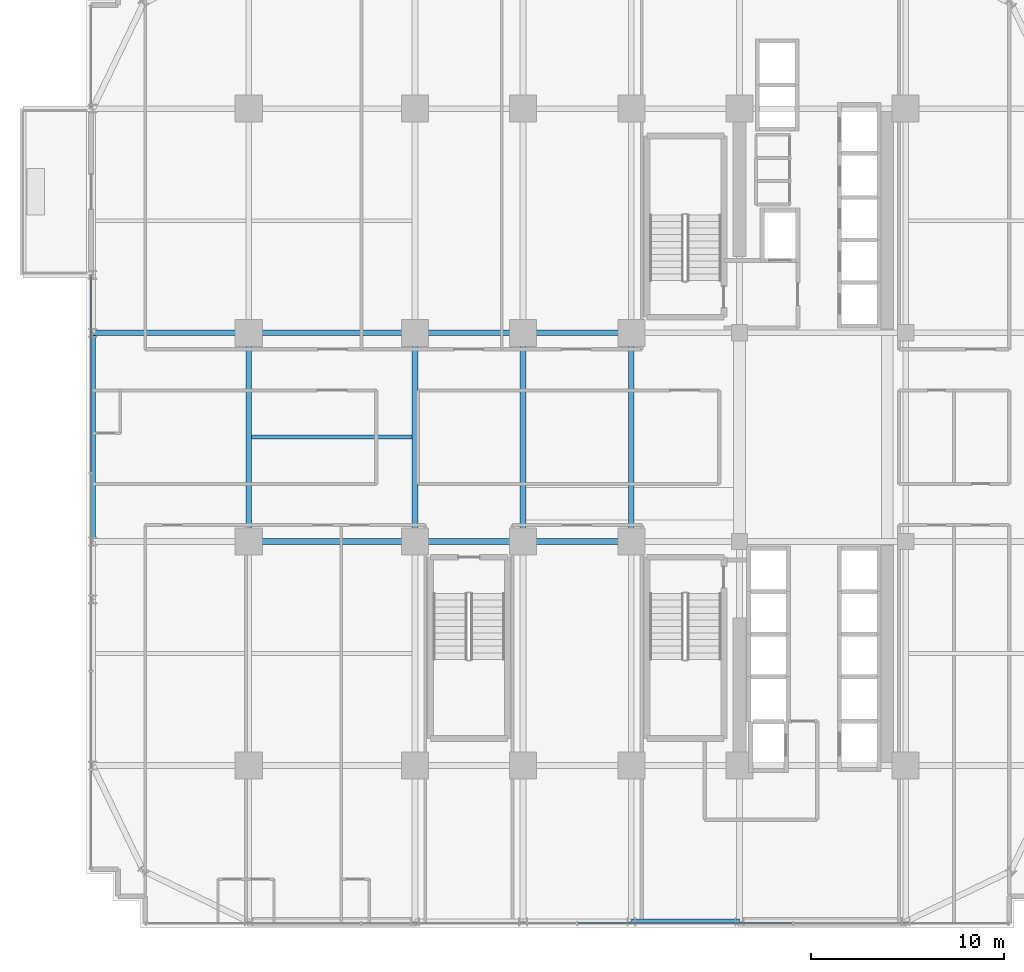
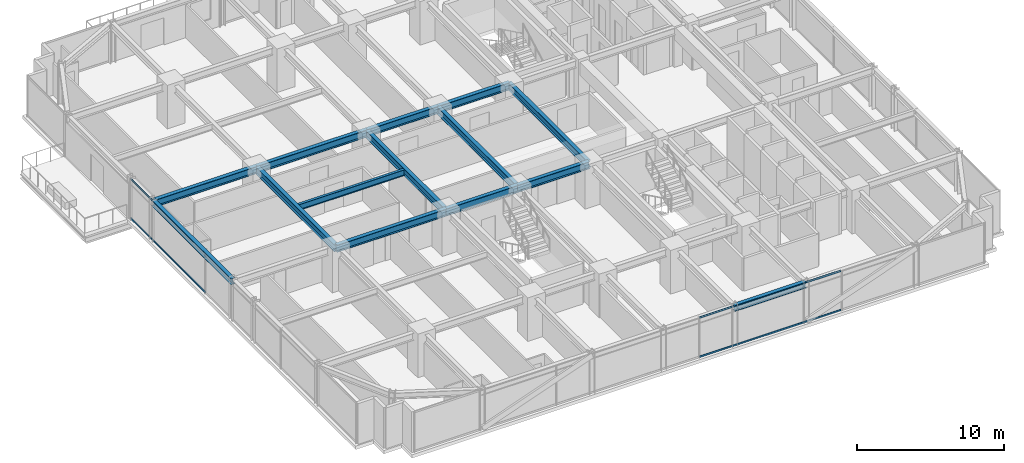
# One storey, part 11 of 36: 14 beams, 4 members, 2 elements without a shape of their own.
"""IFC4 building model written with IfcOpenShell, lengths in metres."""

import ifcopenshell
import ifcopenshell.guid

model = None  # the IFC model being written
_history = None  # IfcOwnerHistory: only IFC2X3 demands one
_inside = {}  # id of a spatial element -> (the spatial element, [elements in it])
_under = {}  # id of a project, library or spatial element -> (it, [spatial elements below it])
_declared = {}  # id of a project -> (the project, [libraries it declares])
_typed = {}  # id of a type object -> (the type object, [elements of that type])
_made_of = {}  # id of a material, layer set ... -> (it, [elements and type objects made of it])


def new_model(schema):
    """Start an empty IFC model of exactly this schema.

    Asked for "IFC4X3", IfcOpenShell would pick the latest addendum, in which some entities
    have other attributes; the version numbers below select the first issue.
    IFC2X3 requires an IfcOwnerHistory on every rooted entity: one is made here for all.
    """
    global model, _history
    if schema == "IFC4X3":
        model = ifcopenshell.file(schema_version=(4, 3, 0, 0))
    else:
        model = ifcopenshell.file(schema=schema)
    _inside.clear()
    _under.clear()
    _declared.clear()
    _typed.clear()
    _made_of.clear()
    _history = None
    if model.schema == "IFC2X3":
        org = make("IfcOrganization", Name="unknown")
        user = make(
            "IfcPersonAndOrganization",
            ThePerson=make("IfcPerson", FamilyName="unknown"),
            TheOrganization=org,
        )
        app = make(
            "IfcApplication",
            ApplicationDeveloper=org,
            Version="unknown",
            ApplicationFullName="unknown",
            ApplicationIdentifier="unknown",
        )
        _history = make(
            "IfcOwnerHistory",
            OwningUser=user,
            OwningApplication=app,
            ChangeAction="ADDED",
            CreationDate=0,
        )
    return model


def make(cls, **values):
    """One entity of the class cls with the attributes given. An attribute that is None is left unset."""
    return model.create_entity(
        cls, **{name: value for name, value in values.items() if value is not None}
    )


def rooted(cls, **values):
    """An entity with a GlobalId (a new one), such as an element, a storey or a relation."""
    return make(cls, GlobalId=ifcopenshell.guid.new(), OwnerHistory=_history, **values)


def si_unit(unit_type, name, prefix=None):
    """IfcSIUnit, for example si_unit("LENGTHUNIT", "METRE", prefix="MILLI")."""
    return make("IfcSIUnit", UnitType=unit_type, Prefix=prefix, Name=name)


def assignment(units):
    """IfcUnitAssignment: the units of a project."""
    return None if units is None else make("IfcUnitAssignment", Units=units)


def point(xyz):
    """IfcCartesianPoint."""
    return None if xyz is None else make("IfcCartesianPoint", Coordinates=xyz)


def direction(xyz):
    """IfcDirection."""
    return None if xyz is None else make("IfcDirection", DirectionRatios=xyz)


def frame(location, z_axis=None, x_axis=None):
    """IfcAxis2Placement3D, a coordinate frame: its origin and axes. An axis left out is left unset."""
    return make(
        "IfcAxis2Placement3D",
        Location=point(location),
        Axis=direction(z_axis),
        RefDirection=direction(x_axis),
    )


def frame_2d(location, x_axis=None):
    """IfcAxis2Placement2D, a coordinate frame in the plane: its origin and x axis."""
    return make(
        "IfcAxis2Placement2D", Location=point(location), RefDirection=direction(x_axis)
    )


def origin():
    """The frame at (0, 0, 0) with its axes left unset."""
    return frame((0.0, 0.0, 0.0))


def origin_2d():
    """The frame at (0, 0) in the plane with its x axis left unset."""
    return frame_2d((0.0, 0.0))


def place(relative_to, where):
    """IfcLocalPlacement: puts the frame where relative to a parent placement (None: the world)."""
    return make(
        "IfcLocalPlacement", PlacementRelTo=relative_to, RelativePlacement=where
    )


def context(
    kind, dimensions, precision=None, world=None, true_north=None, identifier=None
):
    """IfcGeometricRepresentationContext, for example the 3D "Model" context."""
    return make(
        "IfcGeometricRepresentationContext",
        ContextIdentifier=identifier,
        ContextType=kind,
        CoordinateSpaceDimension=dimensions,
        Precision=precision,
        WorldCoordinateSystem=world,
        TrueNorth=true_north,
    )


def subcontext(parent, identifier, kind, view, scale=None):
    """IfcGeometricRepresentationSubContext, for example "Body" below "Model"."""
    return make(
        "IfcGeometricRepresentationSubContext",
        ContextIdentifier=identifier,
        ContextType=kind,
        ParentContext=parent,
        TargetScale=scale,
        TargetView=view,
    )


def project(units=None, contexts=None):
    """IfcProject with its units and contexts."""
    return rooted(
        "IfcProject",
        Name="project",
        RepresentationContexts=contexts,
        UnitsInContext=assignment(units),
    )


def spatial(cls, under=None, at=None, **own):
    """A site, building, storey or space (cls), placed at a placement, below another one or the project."""
    s = rooted(cls, ObjectPlacement=at, **own)
    if under is not None:
        _under.setdefault(under.id(), (under, []))[1].append(s)
    return s


def profile(cls, at=None, kind="AREA", **sizes):
    """A parametric profile (cls). Its sizes go by their IFC names, for example OverallWidth=200.0."""
    return make(cls, ProfileType=kind, Position=at, **sizes)


def hollow_rectangle(**sizes):
    """IfcRectangleHollowProfileDef."""
    return profile("IfcRectangleHollowProfileDef", **sizes)


def i_section(**sizes):
    """IfcIShapeProfileDef."""
    return profile("IfcIShapeProfileDef", **sizes)


def extrude(swept, where, along, depth):
    """IfcExtrudedAreaSolid: the profile swept, set in the frame where, extruded along a direction by depth."""
    return make(
        "IfcExtrudedAreaSolid",
        SweptArea=swept,
        Position=where,
        ExtrudedDirection=direction(along),
        Depth=depth,
    )


def shape(context_of_items, identifier, shape_type, items):
    """IfcShapeRepresentation: the items that make up one representation, for example the "Body"."""
    return make(
        "IfcShapeRepresentation",
        ContextOfItems=context_of_items,
        RepresentationIdentifier=identifier,
        RepresentationType=shape_type,
        Items=items,
    )


def source(mapping_origin, context_of_items, identifier, shape_type, items):
    """IfcRepresentationMap: a shape defined once, which mapped items show again and again."""
    return make(
        "IfcRepresentationMap",
        MappingOrigin=mapping_origin,
        MappedRepresentation=shape(context_of_items, identifier, shape_type, items),
    )


def transform(
    local_origin,
    x_axis=None,
    y_axis=None,
    z_axis=None,
    scale=None,
    scale2=None,
    scale3=None,
    uniform=True,
):
    """IfcCartesianTransformationOperator3D, or its non-uniform kind. x_axis, y_axis, z_axis: its Axis1, 2, 3."""
    if uniform:
        return make(
            "IfcCartesianTransformationOperator3D",
            Axis1=direction(x_axis),
            Axis2=direction(y_axis),
            LocalOrigin=point(local_origin),
            Scale=scale,
            Axis3=direction(z_axis),
        )
    return make(
        "IfcCartesianTransformationOperator3DnonUniform",
        Axis1=direction(x_axis),
        Axis2=direction(y_axis),
        LocalOrigin=point(local_origin),
        Scale=scale,
        Axis3=direction(z_axis),
        Scale2=scale2,
        Scale3=scale3,
    )


def mapped(mapping_source, mapping_target):
    """IfcMappedItem: shows the shape of a source again, moved by a transform."""
    return make(
        "IfcMappedItem", MappingSource=mapping_source, MappingTarget=mapping_target
    )


def material(Name=None, Category=None):
    """IfcMaterial."""
    return make("IfcMaterial", Name=Name, Category=Category)


def material_profile(
    of_material, cross_section, Name=None, Category=None, Priority=None
):
    """IfcMaterialProfile: a cross section and its material."""
    return make(
        "IfcMaterialProfile",
        Name=Name,
        Material=of_material,
        Profile=cross_section,
        Priority=Priority,
        Category=Category,
    )


def profile_set(profiles, Name=None, composite=None):
    """IfcMaterialProfileSet."""
    return make(
        "IfcMaterialProfileSet",
        Name=Name,
        MaterialProfiles=profiles,
        CompositeProfile=composite,
    )


def made_of(thing, what):
    """Note that an element or type object is made of a material, layer set ...; save() writes the relation."""
    if what is not None:
        _made_of.setdefault(what.id(), (what, []))[1].append(thing)
    return thing


def type_object(cls, material=None, **own):
    """A type object (cls), such as IfcWallType, which elements share."""
    return made_of(rooted(cls, **own), material)


def element(
    cls,
    number,
    at=None,
    inside=None,
    cuts=None,
    type_object=None,
    material=None,
    context=None,
    identifier="Body",
    shape_type=None,
    held_by="IfcProductDefinitionShape",
    body=None,
    shapes=None,
    **own,
):
    """One element of the class cls, such as IfcWall. Its Tag is "e" and its number.

    at: its placement. inside: the storey or other place that contains it. cuts: it is an
    opening in that element (IfcRelVoidsElement). A single representation is given by context,
    identifier, shape_type and body (its items); several are given by shapes. held_by: the class
    of the entity that holds the representations. save() writes the other relations.
    """
    e = rooted(cls, Tag="e%d" % number, ObjectPlacement=at, **own)
    if body is not None:
        shapes = [shape(context, identifier, shape_type, body)]
    if shapes is not None:
        e.Representation = make(held_by, Representations=shapes)
    if inside is not None:
        _inside.setdefault(inside.id(), (inside, []))[1].append(e)
    if cuts is not None:
        rooted(
            "IfcRelVoidsElement", RelatingBuildingElement=cuts, RelatedOpeningElement=e
        )
    if type_object is not None:
        _typed.setdefault(type_object.id(), (type_object, []))[1].append(e)
    return made_of(e, material)


def aggregate(whole, parts):
    """IfcRelAggregates: a whole, such as a stair, and the parts it consists of."""
    return rooted("IfcRelAggregates", RelatingObject=whole, RelatedObjects=parts)


def save(model, path):
    """Write the relations noted so far, then the file.

    IfcRelAggregates (storeys below a building ...), IfcRelContainedInSpatialStructure (elements
    in a storey), IfcRelDefinesByType, IfcRelAssociatesMaterial and IfcRelDeclares: one each for
    every whole, place, type object, material and project.
    """
    for whole, parts in _under.values():
        aggregate(whole, parts)
    for where, things in _inside.values():
        rooted(
            "IfcRelContainedInSpatialStructure",
            RelatedElements=things,
            RelatingStructure=where,
        )
    for kind, things in _typed.values():
        rooted("IfcRelDefinesByType", RelatedObjects=things, RelatingType=kind)
    for what, things in _made_of.values():
        rooted("IfcRelAssociatesMaterial", RelatedObjects=things, RelatingMaterial=what)
    for by, libraries in _declared.values():
        rooted("IfcRelDeclares", RelatingContext=by, RelatedDefinitions=libraries)
    model.write(path)


model = new_model("IFC4")

# Units and contexts
model_context = context("Model", 3, precision=1e-05, world=origin(), true_north=direction((0.0, 1.0)))
body_context = subcontext(model_context, "Body", "Model", "MODEL_VIEW")
ifc_project = project(units=[si_unit("LENGTHUNIT", "METRE"), si_unit("AREAUNIT", "SQUARE_METRE"), si_unit("VOLUMEUNIT", "CUBIC_METRE"), si_unit("PLANEANGLEUNIT", "RADIAN"), si_unit("MASSUNIT", "GRAM", prefix="KILO")], contexts=[model_context])

# Site, building, storey
site_placement = place(None, origin())
site = spatial("IfcSite", under=ifc_project, at=site_placement, CompositionType="ELEMENT")
building_placement = place(site_placement, origin())
building = spatial("IfcBuilding", under=site, at=building_placement, Name="Nahalor Promenade Grand Hotel", CompositionType="ELEMENT")
storey_placement = place(building_placement, frame((0.0, 0.0, 76.199951171875)))
storey = spatial("IfcBuildingStorey", under=building, at=storey_placement, Name="L18", CompositionType="ELEMENT", Elevation=76.199951171875)

# Beams
ifc_material_1 = material(Name="Steel S355JR", Category="steel")
ifc_material_profile_1 = material_profile(ifc_material_1, i_section(OverallWidth=0.3, OverallDepth=0.6, WebThickness=0.0155, FlangeThickness=0.03, at=origin_2d()), Name="HEB 600")
ifc_profile_set_1 = profile_set([ifc_material_profile_1], Name="Steel S355JR")
beam_type_1 = type_object("IfcBeamType", Name="Beam-Girder-HEB600", PredefinedType="BEAM", material=ifc_profile_set_1)
shared_shape_1 = source(origin(), body_context, "Body", "SweptSolid", [
    extrude(i_section(OverallWidth=0.3, OverallDepth=0.6, WebThickness=0.0155, FlangeThickness=0.03, at=origin_2d()), origin(), (0.0, 0.0, 1.0), 8.60009765625),
])
for number, where, z_axis, x_axis, name in (
    (1, (-17.0, -5.39990234375, 3.070068359375), (1.0, 0.0, 0.0), (0.0, 1.0, 0.0), "BM-L18-GX-1-1"),
    (2, (-17.0, 5.39990234375, 3.070068359375), (1.0, 0.0, 0.0), (0.0, 1.0, 0.0), "BM-L18-GX-2-1"),
):
    element("IfcBeam", number, at=place(storey_placement, frame(where, z_axis=z_axis, x_axis=x_axis)), inside=storey, type_object=beam_type_1, Name=name, PredefinedType="BEAM", context=body_context, shape_type="MappedRepresentation", body=[
        mapped(shared_shape_1, transform((0.0, 0.0, 0.0), scale=1.0)),
    ])
shared_shape_2 = source(origin(), body_context, "Body", "SweptSolid", [
    extrude(i_section(OverallWidth=0.3, OverallDepth=0.6, WebThickness=0.0155, FlangeThickness=0.03, at=origin_2d()), origin(), (0.0, 0.0, 1.0), 5.599853515625),
])
for number, where, z_axis, x_axis, name in (
    (3, (-8.39990234375, -5.39990234375, 3.070068359375), (1.0, 0.0, 0.0), (0.0, 1.0, 0.0), "BM-L18-GX-1-2"),
    (4, (-8.39990234375, 5.39990234375, 3.070068359375), (1.0, 0.0, 0.0), (0.0, 1.0, 0.0), "BM-L18-GX-2-2"),
):
    element("IfcBeam", number, at=place(storey_placement, frame(where, z_axis=z_axis, x_axis=x_axis)), inside=storey, type_object=beam_type_1, Name=name, PredefinedType="BEAM", context=body_context, shape_type="MappedRepresentation", body=[
        mapped(shared_shape_2, transform((0.0, 0.0, 0.0), scale=1.0)),
    ])
shared_shape_3 = source(origin(), body_context, "Body", "SweptSolid", [
    extrude(i_section(OverallWidth=0.3, OverallDepth=0.6, WebThickness=0.0155, FlangeThickness=0.03, at=origin_2d()), origin(), (0.0, 0.0, 1.0), 5.60009765625),
])
for number, where, z_axis, x_axis, name in (
    (5, (-2.800048828125, -5.39990234375, 3.070068359375), (1.0, 0.0, 0.0), (0.0, 1.0, 0.0), "BM-L18-GX-1-3"),
    (6, (-2.800048828125, 5.39990234375, 3.070068359375), (1.0, 0.0, 0.0), (0.0, 1.0, 0.0), "BM-L18-GX-2-3"),
):
    element("IfcBeam", number, at=place(storey_placement, frame(where, z_axis=z_axis, x_axis=x_axis)), inside=storey, type_object=beam_type_1, Name=name, PredefinedType="BEAM", context=body_context, shape_type="MappedRepresentation", body=[
        mapped(shared_shape_3, transform((0.0, 0.0, 0.0), scale=1.0)),
    ])
shared_shape_4 = source(origin(), body_context, "Body", "SweptSolid", [
    extrude(i_section(OverallWidth=0.3, OverallDepth=0.6, WebThickness=0.0155, FlangeThickness=0.03, at=origin_2d()), origin(), (0.0, 0.0, 1.0), 10.7998046875),
])
for number, where, z_axis, x_axis, name in (
    (7, (-17.0, -5.39990234375, 3.070068359375), (0.0, 1.0, 0.0), (-1.0, 0.0, 0.0), "BM-L18-GY-0-2"),
    (8, (-8.39990234375, -5.39990234375, 3.070068359375), (0.0, 1.0, 0.0), (-1.0, 0.0, 0.0), "BM-L18-GY-1-2"),
    (9, (-2.800048828125, -5.39990234375, 3.070068359375), (0.0, 1.0, 0.0), (-1.0, 0.0, 0.0), "BM-L18-GY-2-2"),
    (10, (2.800048828125, -5.39990234375, 3.070068359375), (0.0, 1.0, 0.0), (-1.0, 0.0, 0.0), "BM-L18-GY-3-2"),
):
    element("IfcBeam", number, at=place(storey_placement, frame(where, z_axis=z_axis, x_axis=x_axis)), inside=storey, type_object=beam_type_1, Name=name, PredefinedType="BEAM", context=body_context, shape_type="MappedRepresentation", body=[
        mapped(shared_shape_4, transform((0.0, 0.0, 0.0), scale=1.0)),
    ])
ifc_material_profile_2 = material_profile(ifc_material_1, i_section(OverallWidth=0.3, OverallDepth=0.5, WebThickness=0.0145, FlangeThickness=0.028, at=origin_2d()), Name="HEB 500")
ifc_profile_set_2 = profile_set([ifc_material_profile_2], Name="Steel S355JR")
beam_type_2 = type_object("IfcBeamType", Name="Beam-Spandrel-HEB500", PredefinedType="SPANDREL", material=ifc_profile_set_2)
shared_shape_5 = source(origin(), body_context, "Body", "SweptSolid", [
    extrude(i_section(OverallWidth=0.3, OverallDepth=0.5, WebThickness=0.0145, FlangeThickness=0.028, at=origin_2d()), origin(), (0.0, 0.0, 1.0), 5.599853515625),
])
beam_1_placement = place(storey_placement, frame((2.800048828125, -25.080078125, 3.1201171875), z_axis=(1.0, 0.0, 0.0), x_axis=(0.0, 1.0, 0.0)))
element("IfcBeam", 11, at=beam_1_placement, inside=storey, type_object=beam_type_2, Name="BM-L18-SP-S-3", PredefinedType="SPANDREL", context=body_context, shape_type="MappedRepresentation", body=[
    mapped(shared_shape_5, transform((0.0, 0.0, 0.0), scale=1.0)),
])
shared_shape_6 = source(origin(), body_context, "Body", "SweptSolid", [
    extrude(i_section(OverallWidth=0.3, OverallDepth=0.5, WebThickness=0.0145, FlangeThickness=0.028, at=origin_2d()), origin(), (0.0, 0.0, 1.0), 10.7998046875),
])
beam_2_placement = place(storey_placement, frame((-25.080078125, -5.39990234375, 3.1201171875), z_axis=(0.0, 1.0, 0.0), x_axis=(-1.0, 0.0, 0.0)))
element("IfcBeam", 12, at=beam_2_placement, inside=storey, type_object=beam_type_2, Name="BM-L18-SP-W-2", PredefinedType="SPANDREL", context=body_context, shape_type="MappedRepresentation", body=[
    mapped(shared_shape_6, transform((0.0, 0.0, 0.0), scale=1.0)),
])
ifc_material_profile_3 = material_profile(ifc_material_1, i_section(OverallWidth=0.2, OverallDepth=0.5, WebThickness=0.0102, FlangeThickness=0.016, at=origin_2d()), Name="IPE 500")
ifc_profile_set_3 = profile_set([ifc_material_profile_3], Name="Steel S355JR")
beam_type_3 = type_object("IfcBeamType", Name="Beam-Joist-IPE500", PredefinedType="JOIST", material=ifc_profile_set_3)
shared_shape_7 = source(origin(), body_context, "Body", "SweptSolid", [
    extrude(i_section(OverallWidth=0.2, OverallDepth=0.5, WebThickness=0.0102, FlangeThickness=0.016, at=origin_2d()), origin(), (0.0, 0.0, 1.0), 8.300048828125),
])
beam_3_placement = place(storey_placement, frame((-16.85009765625, 0.0, 3.1201171875), z_axis=(1.0, 0.0, 0.0), x_axis=(0.0, 1.0, 0.0)))
element("IfcBeam", 13, at=beam_3_placement, inside=storey, type_object=beam_type_3, Name="BM-L18-JSC-0", PredefinedType="JOIST", context=body_context, shape_type="MappedRepresentation", body=[
    mapped(shared_shape_7, transform((0.0, 0.0, 0.0), scale=1.0)),
])
shared_shape_8 = source(origin(), body_context, "Body", "SweptSolid", [
    extrude(i_section(OverallWidth=0.3, OverallDepth=0.6, WebThickness=0.0155, FlangeThickness=0.03, at=origin_2d()), origin(), (0.0, 0.0, 1.0), 8.080078125),
])
beam_4_placement = place(storey_placement, frame((-25.080078125, 5.39990234375, 3.070068359375), z_axis=(1.0, 0.0, 0.0), x_axis=(0.0, 1.0, 0.0)))
element("IfcBeam", 14, at=beam_4_placement, inside=storey, type_object=beam_type_1, Name="BM-L18-GX-2-0", PredefinedType="BEAM", context=body_context, shape_type="MappedRepresentation", body=[
    mapped(shared_shape_8, transform((0.0, 0.0, 0.0), scale=1.0)),
])

# Curtain wall, members
ifc_material_2 = material(Name="Anodised Bronze Aluminium EN AW-6063 T6", Category="aluminium")
curtain_wall_type = type_object("IfcCurtainWallType", Name="CW2 Typical Hotel Flush Bronze Unitised Curtain Wall", PredefinedType="USERDEFINED", material=ifc_material_2)
curtain_wall_1_placement = place(storey_placement, origin())
curtain_wall_1 = element("IfcCurtainWall", 15, at=curtain_wall_1_placement, inside=storey, type_object=curtain_wall_type, Name="L18 Curtain Wall CW-L18-S-1", ObjectType="UNITISED_CURTAIN_WALL", PredefinedType="USERDEFINED")
ifc_material_profile_4 = material_profile(ifc_material_2, hollow_rectangle(XDim=0.065, YDim=0.13, WallThickness=0.004, at=origin_2d()), Name="CWT 65x130x4")
ifc_profile_set_4 = profile_set([ifc_material_profile_4], Name="Anodised Bronze Aluminium EN AW-6063 T6")
member_type = type_object("IfcMemberType", Name="CWT2 Typical Bronze Transom 65x130", PredefinedType="USERDEFINED", material=ifc_profile_set_4)
shared_shape_9 = source(origin(), body_context, "Body", "SweptSolid", [
    extrude(hollow_rectangle(XDim=0.065, YDim=0.13, WallThickness=0.004, at=origin_2d()), origin(), (0.0, 0.0, 1.0), 11.114990234375),
])
member_1_placement = place(storey_placement, frame((0.032470703125, -25.159912109375, 0.06494140625), z_axis=(1.0, 0.0, 0.0), x_axis=(0.0, 1.0, 0.0)))
member_1 = element("IfcMember", 16, at=member_1_placement, type_object=member_type, Name="CW-L18-S-1 Transom 2-0", ObjectType="TRANSOM", PredefinedType="USERDEFINED", context=body_context, shape_type="MappedRepresentation", body=[
    mapped(shared_shape_9, transform((0.0, 0.0, 0.0), scale=1.0)),
])
member_2_placement = place(storey_placement, frame((0.032470703125, -25.159912109375, 3.304931640625), z_axis=(1.0, 0.0, 0.0), x_axis=(0.0, 1.0, 0.0)))
member_2 = element("IfcMember", 17, at=member_2_placement, type_object=member_type, Name="CW-L18-S-1 Transom 2-1", ObjectType="TRANSOM", PredefinedType="USERDEFINED", context=body_context, shape_type="MappedRepresentation", body=[
    mapped(shared_shape_9, transform((0.0, 0.0, 0.0), scale=1.0)),
])
aggregate(curtain_wall_1, [member_1, member_2])

curtain_wall_2_placement = place(storey_placement, origin())
curtain_wall_2 = element("IfcCurtainWall", 18, at=curtain_wall_2_placement, inside=storey, type_object=curtain_wall_type, Name="L18 Curtain Wall CW-L18-W-1", ObjectType="UNITISED_CURTAIN_WALL", PredefinedType="USERDEFINED")
shared_shape_10 = source(origin(), body_context, "Body", "SweptSolid", [
    extrude(hollow_rectangle(XDim=0.065, YDim=0.13, WallThickness=0.004, at=origin_2d()), origin(), (0.0, 0.0, 1.0), 10.15576171875),
])
member_3_placement = place(storey_placement, frame((-25.159912109375, -1.82080078125, 0.06494140625), z_axis=(0.0, 1.0, 0.0), x_axis=(-1.0, 0.0, 0.0)))
member_3 = element("IfcMember", 19, at=member_3_placement, type_object=member_type, Name="CW-L18-W-1 Transom 2-0", ObjectType="TRANSOM", PredefinedType="USERDEFINED", context=body_context, shape_type="MappedRepresentation", body=[
    mapped(shared_shape_10, transform((0.0, 0.0, 0.0), scale=1.0)),
])
member_4_placement = place(storey_placement, frame((-25.159912109375, -1.82080078125, 3.304931640625), z_axis=(0.0, 1.0, 0.0), x_axis=(-1.0, 0.0, 0.0)))
member_4 = element("IfcMember", 20, at=member_4_placement, type_object=member_type, Name="CW-L18-W-1 Transom 2-1", ObjectType="TRANSOM", PredefinedType="USERDEFINED", context=body_context, shape_type="MappedRepresentation", body=[
    mapped(shared_shape_10, transform((0.0, 0.0, 0.0), scale=1.0)),
])
aggregate(curtain_wall_2, [member_3, member_4])

save(model, "model.ifc")
